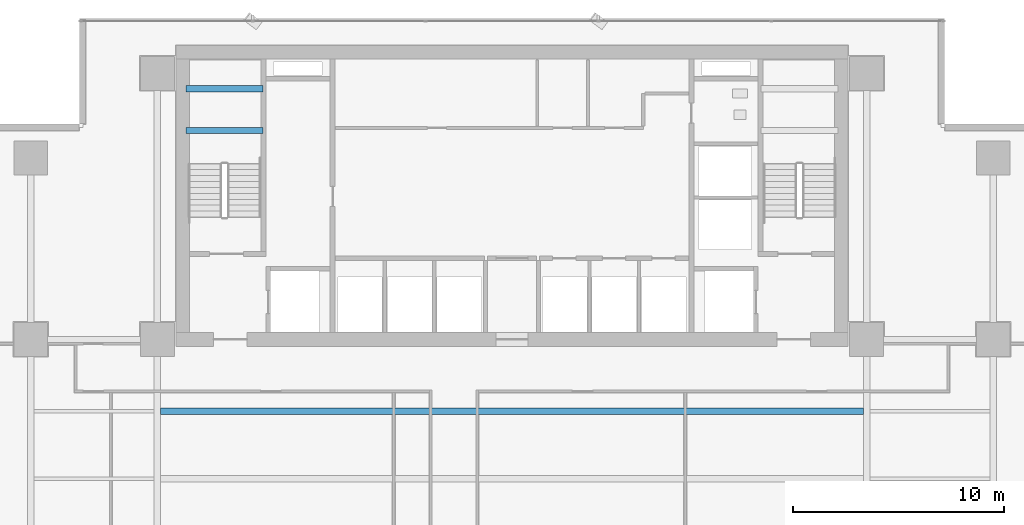
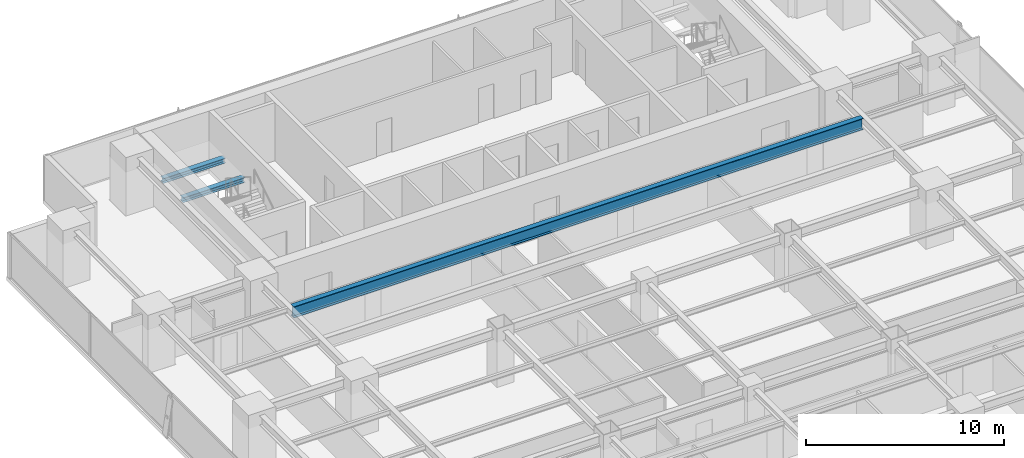
# One storey, part 19 of 37: 3 beams.
"""IFC4 building model written with IfcOpenShell, lengths in metres."""

from ifc_helpers import new_model, si_unit, direction, frame, origin, origin_2d, place, context, subcontext, project, spatial, i_section, extrude, source, transform, mapped, material, material_profile, profile_set, type_object, element, save


model = new_model("IFC4")

# Units and contexts
model_context = context("Model", 3, precision=1e-05, world=origin(), true_north=direction((0.0, 1.0)))
body_context = subcontext(model_context, "Body", "Model", "MODEL_VIEW")
ifc_project = project(units=[si_unit("LENGTHUNIT", "METRE"), si_unit("AREAUNIT", "SQUARE_METRE"), si_unit("VOLUMEUNIT", "CUBIC_METRE"), si_unit("PLANEANGLEUNIT", "RADIAN"), si_unit("MASSUNIT", "GRAM", prefix="KILO")], contexts=[model_context])

# Site, building, storey
site_placement = place(None, origin())
site = spatial("IfcSite", under=ifc_project, at=site_placement, CompositionType="ELEMENT")
building_placement = place(site_placement, origin())
building = spatial("IfcBuilding", under=site, at=building_placement, Name="Sumidabori Civic Tower", CompositionType="ELEMENT")
storey_placement = place(building_placement, frame((0.0, 0.0, 81.199951171875)))
storey = spatial("IfcBuildingStorey", under=building, at=storey_placement, Name="L20", CompositionType="ELEMENT", Elevation=81.199951171875)

# Beams
ifc_material = material(Name="Steel SN490", Category="steel")
ifc_material_profile_1 = material_profile(ifc_material, i_section(OverallWidth=0.300048828125, OverallDepth=0.300048828125, WebThickness=0.010986328125, FlangeThickness=0.01904296875, at=origin_2d()), Name="HE 300 B")
ifc_profile_set_1 = profile_set([ifc_material_profile_1], Name="Steel SN490")
beam_type_1 = type_object("IfcBeamType", Name="BM-LDG-300", PredefinedType="BEAM", material=ifc_profile_set_1)
shared_shape_1 = source(origin(), body_context, "Body", "SweptSolid", [
    extrude(i_section(OverallWidth=0.300048828125, OverallDepth=0.300048828125, WebThickness=0.010986328125, FlangeThickness=0.01904296875, at=origin_2d()), origin(), (0.0, 0.0, 1.0), 3.64990234375),
])
for number, where, z_axis, x_axis, name in (
    (1, (-15.449951171875, 20.09765625, 1.449951171875), (1.0, 0.0, 0.0), (0.0, 1.0, 0.0), "Stair ST-1 Landing Support Beam L20-1A"),
    (2, (-15.449951171875, 22.069580078125, 1.449951171875), (1.0, 0.0, 0.0), (0.0, 1.0, 0.0), "Stair ST-1 Landing Trimmer Beam L20-1B"),
):
    element("IfcBeam", number, at=place(storey_placement, frame(where, z_axis=z_axis, x_axis=x_axis)), inside=storey, type_object=beam_type_1, Name=name, PredefinedType="BEAM", context=body_context, shape_type="MappedRepresentation", body=[
        mapped(shared_shape_1, transform((0.0, 0.0, 0.0), x_axis=(1.0, 0.0, 0.0), y_axis=(0.0, 1.0, 0.0), z_axis=(0.0, 0.0, 1.0), scale=1.0)),
    ])
ifc_material_profile_2 = material_profile(ifc_material, i_section(OverallWidth=0.300048828125, OverallDepth=0.699951171875, WebThickness=0.01708984375, FlangeThickness=0.031982421875, at=origin_2d()), Name="HE 700 B")
ifc_profile_set_2 = profile_set([ifc_material_profile_2], Name="Steel SN490")
beam_type_2 = type_object("IfcBeamType", Name="BM-GIRD-700", PredefinedType="BEAM", material=ifc_profile_set_2)
shared_shape_2 = source(origin(), body_context, "Body", "SweptSolid", [
    extrude(i_section(OverallWidth=0.300048828125, OverallDepth=0.699951171875, WebThickness=0.01708984375, FlangeThickness=0.031982421875, at=origin_2d()), origin(), (0.0, 0.0, 1.0), 33.2998046875),
])
beam_placement = place(storey_placement, frame((-16.64990234375, 6.800048828125, 3.010009765625), z_axis=(1.0, 0.0, 0.0), x_axis=(0.0, 1.0, 0.0)))
element("IfcBeam", 3, at=beam_placement, inside=storey, type_object=beam_type_2, Name="North Bay Floor Beam L20 JSTN-54", PredefinedType="BEAM", context=body_context, shape_type="MappedRepresentation", body=[
    mapped(shared_shape_2, transform((0.0, 0.0, 0.0), x_axis=(1.0, 0.0, 0.0), y_axis=(0.0, 1.0, 0.0), z_axis=(0.0, 0.0, 1.0), scale=1.0)),
])

save(model, "model.ifc")
